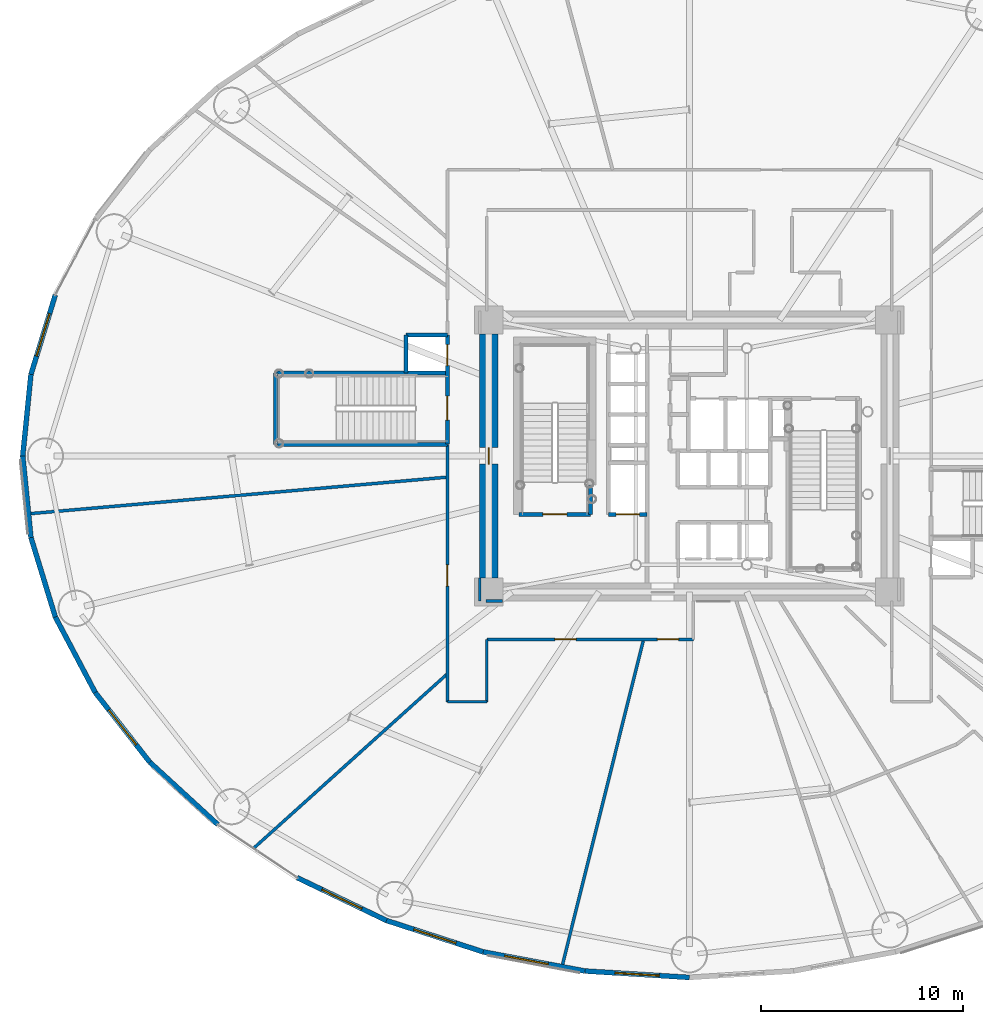
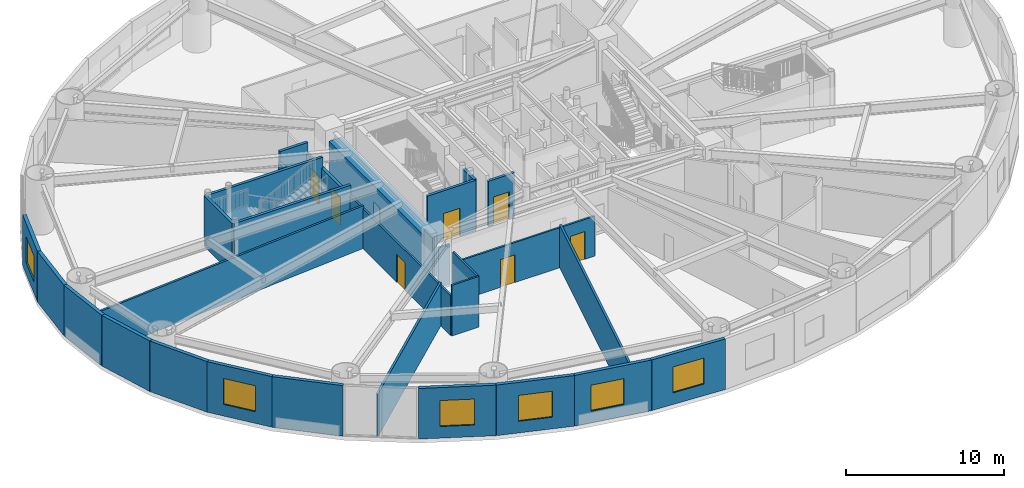
# One storey, part 16 of 31: 30 walls, 8 doors, 6 windows, 14 openings.
"""IFC4 building model written with IfcOpenShell, lengths in metres."""

from ifc_helpers import new_model, si_unit, direction, frame, frame_2d, origin, origin_2d, place, context, subcontext, project, spatial, rectangle, extrude, source, transform, mapped, material, layer, layer_set, type_object, element, fill, save


model = new_model("IFC4")

# Units and contexts
model_context = context("Model", 3, precision=1e-05, world=origin(), true_north=direction((0.0, 1.0)))
body_context = subcontext(model_context, "Body", "Model", "MODEL_VIEW")
ifc_project = project(units=[si_unit("LENGTHUNIT", "METRE"), si_unit("AREAUNIT", "SQUARE_METRE"), si_unit("VOLUMEUNIT", "CUBIC_METRE"), si_unit("PLANEANGLEUNIT", "RADIAN"), si_unit("MASSUNIT", "GRAM", prefix="KILO")], contexts=[model_context])

# Site, building, storey
site_placement = place(None, origin())
site = spatial("IfcSite", under=ifc_project, at=site_placement, CompositionType="ELEMENT")
building_placement = place(site_placement, origin())
building = spatial("IfcBuilding", under=site, at=building_placement, Name="Linh Dai School and Residence Tower", CompositionType="ELEMENT")
storey_placement = place(building_placement, frame((0.0, 0.0, 6.0)))
storey = spatial("IfcBuildingStorey", under=building, at=storey_placement, Name="L01", CompositionType="ELEMENT", Elevation=6.0)

# Wall, opening, window
ifc_material_1 = material(Name="Precast Concrete B45 (C35/45)", Category="concrete")
ifc_layer_1 = layer(ifc_material_1, 0.25)
ifc_layer_set_1 = layer_set([ifc_layer_1], Name="Precast Concrete B45 (C35/45)")
wall_type_1 = type_object("IfcWallType", Name="EW-TC-250", PredefinedType="SOLIDWALL", material=ifc_layer_set_1)
wall_1_placement = place(storey_placement, frame((3.331298828125, 31.04248046875, 0.0), z_axis=(0.0, 0.0, 1.0), x_axis=(0.293070945898, 0.956090696885, 0.0)))
wall_1 = element("IfcWall", 1, at=wall_1_placement, inside=storey, type_object=wall_type_1, Name="L01 Terracotta Exterior Wall 19", PredefinedType="SOLIDWALL", context=body_context, shape_type="SweptSolid", body=[
    extrude(rectangle(XDim=4.125244140625, YDim=0.25, at=frame_2d((2.0625, 0.0))), origin(), (0.0, 0.0, 1.0), 3.89990234375),
])
opening_1_placement = place(wall_1_placement, frame((0.962646484375, 0.0, 0.89990234375)))
opening_1 = element("IfcOpeningElement", 2, at=opening_1_placement, cuts=wall_1, Name="Opening W4", PredefinedType="OPENING", context=body_context, shape_type="SweptSolid", body=[
    extrude(rectangle(XDim=2.199951171875, YDim=2.0, at=origin_2d()), frame((1.10009765625, 0.135009765625, 1.0), z_axis=(0.0, -1.0, 0.0), x_axis=(1.0, 0.0, 0.0)), (0.0, 0.0, 1.0), 0.27001953125),
])
ifc_material_2 = material(Name="Acoustic Laminated Low-E Glazing", Category="glass")
window_type = type_object("IfcWindowType", Name="WN-SCH-2200x2000", PartitioningType="TRIPLE_PANEL_VERTICAL", PredefinedType="WINDOW", material=ifc_material_2)
shared_shape_1 = source(origin(), body_context, "Body", "SweptSolid", [
    extrude(rectangle(XDim=2.199951171875, YDim=2.0, at=origin_2d()), frame((1.10009765625, 0.030029296875, 1.0), z_axis=(0.0, -1.0, 0.0), x_axis=(1.0, 0.0, 0.0)), (0.0, 0.0, 1.0), 0.06005859375),
])
window_1_placement = place(opening_1_placement, origin())
window_1 = element("IfcWindow", 3, at=window_1_placement, inside=storey, type_object=window_type, Name="L01 Exterior Window 19.1", OverallHeight=2.0, OverallWidth=2.199951171875, PartitioningType="TRIPLE_PANEL_VERTICAL", PredefinedType="WINDOW", context=body_context, shape_type="MappedRepresentation", body=[
    mapped(shared_shape_1, transform((0.0, 0.0, 0.0), x_axis=(1.0, 0.0, 0.0), y_axis=(0.0, 1.0, 0.0), z_axis=(0.0, 0.0, 1.0), scale=1.0)),
])
fill(opening_1, window_1)

# Walls
for number, where, z_axis, x_axis, name in (
    (4, (2.925048828125, 27.0, 0.0), (0.0, 0.0, 1.0), (0.099991575324, 0.994988283782, 0.0), "L01 Terracotta Exterior Wall 20"),
    (5, (3.331298828125, 22.95751953125, 0.0), (0.0, 0.0, 1.0), (-0.099991575324, 0.994988283782, 0.0), "L01 Terracotta Exterior Wall 21"),
):
    element("IfcWall", number, at=place(storey_placement, frame(where, z_axis=z_axis, x_axis=x_axis)), inside=storey, type_object=wall_type_1, Name=name, PredefinedType="SOLIDWALL", context=body_context, shape_type="SweptSolid", body=[
        extrude(rectangle(XDim=4.062744140625, YDim=0.25, at=frame_2d((2.03125, 0.0))), origin(), (0.0, 0.0, 1.0), 3.89990234375),
    ])
wall_2_placement = place(storey_placement, frame((4.540283203125, 19.013427734375, 0.0), z_axis=(0.0, 0.0, 1.0), x_axis=(-0.293070945898, 0.956090696885, 0.0)))
element("IfcWall", 6, at=wall_2_placement, inside=storey, type_object=wall_type_1, Name="L01 Terracotta Exterior Wall 22", PredefinedType="SOLIDWALL", context=body_context, shape_type="SweptSolid", body=[
    extrude(rectangle(XDim=4.125244140625, YDim=0.25, at=frame_2d((2.0625, 0.0))), origin(), (0.0, 0.0, 1.0), 3.89990234375),
])
wall_3_placement = place(storey_placement, frame((6.5234375, 15.264404296875, 0.0), z_axis=(0.0, 0.0, 1.0), x_axis=(-0.467588829866, 0.883946087827, 0.0)))
element("IfcWall", 7, at=wall_3_placement, inside=storey, type_object=wall_type_1, Name="L01 Terracotta Exterior Wall 23", PredefinedType="SOLIDWALL", context=body_context, shape_type="SweptSolid", body=[
    extrude(rectangle(XDim=4.2412109375, YDim=0.25, at=frame_2d((2.12060546875, 0.0))), origin(), (0.0, 0.0, 1.0), 3.89990234375),
])

# Wall, opening, window
wall_4_placement = place(storey_placement, frame((9.232177734375, 11.802490234375, 0.0), z_axis=(0.0, 0.0, 1.0), x_axis=(-0.61622589112, 0.787569457961, 0.0)))
wall_4 = element("IfcWall", 8, at=wall_4_placement, inside=storey, type_object=wall_type_1, Name="L01 Terracotta Exterior Wall 24", PredefinedType="SOLIDWALL", context=body_context, shape_type="SweptSolid", body=[
    extrude(rectangle(XDim=4.395751953125, YDim=0.25, at=frame_2d((2.19775390625, 0.0))), origin(), (0.0, 0.0, 1.0), 3.89990234375),
])
opening_2_placement = place(wall_4_placement, frame((1.09765625, 0.0, 0.89990234375)))
opening_2 = element("IfcOpeningElement", 9, at=opening_2_placement, cuts=wall_4, Name="Opening W4", PredefinedType="OPENING", context=body_context, shape_type="SweptSolid", body=[
    extrude(rectangle(XDim=2.199951171875, YDim=2.0, at=origin_2d()), frame((1.10009765625, 0.135009765625, 1.0), z_axis=(0.0, -1.0, 0.0), x_axis=(1.0, 0.0, 0.0)), (0.0, 0.0, 1.0), 0.27001953125),
])
window_2_placement = place(opening_2_placement, origin())
window_2 = element("IfcWindow", 10, at=window_2_placement, inside=storey, type_object=window_type, Name="L01 Exterior Window 24.1", OverallHeight=2.0, OverallWidth=2.199951171875, PartitioningType="TRIPLE_PANEL_VERTICAL", PredefinedType="WINDOW", context=body_context, shape_type="MappedRepresentation", body=[
    mapped(shared_shape_1, transform((0.0, 0.0, 0.0), x_axis=(1.0, 0.0, 0.0), y_axis=(0.0, 1.0, 0.0), z_axis=(0.0, 0.0, 1.0), scale=1.0)),
])
fill(opening_2, window_2)

# Wall
wall_5_placement = place(storey_placement, frame((12.60107421875, 8.713623046875, 0.0), z_axis=(0.0, 0.0, 1.0), x_axis=(-0.737076532105, 0.675809282136, 0.0)))
element("IfcWall", 11, at=wall_5_placement, inside=storey, type_object=wall_type_1, Name="L01 Terracotta Exterior Wall 25", PredefinedType="SOLIDWALL", context=body_context, shape_type="SweptSolid", body=[
    extrude(rectangle(XDim=4.570556640625, YDim=0.25, at=frame_2d((2.28515625, 0.0))), origin(), (0.0, 0.0, 1.0), 3.89990234375),
])

# Wall, opening, window
wall_6_placement = place(storey_placement, frame((20.973876953125, 3.949951171875, 0.0), z_axis=(0.0, 0.0, 1.0), x_axis=(-0.901559523397, 0.432655088692, 0.0)))
wall_6 = element("IfcWall", 12, at=wall_6_placement, inside=storey, type_object=wall_type_1, Name="L01 Terracotta Exterior Wall 27", PredefinedType="SOLIDWALL", context=body_context, shape_type="SweptSolid", body=[
    extrude(rectangle(XDim=4.909912109375, YDim=0.25, at=frame_2d((2.455078125, 0.0))), origin(), (0.0, 0.0, 1.0), 3.89990234375),
])
opening_3_placement = place(wall_6_placement, frame((1.354736328125, 0.0, 0.89990234375)))
opening_3 = element("IfcOpeningElement", 13, at=opening_3_placement, cuts=wall_6, Name="Opening W4", PredefinedType="OPENING", context=body_context, shape_type="SweptSolid", body=[
    extrude(rectangle(XDim=2.199951171875, YDim=2.0, at=origin_2d()), frame((1.10009765625, 0.135009765625, 1.0), z_axis=(0.0, -1.0, 0.0), x_axis=(1.0, 0.0, 0.0)), (0.0, 0.0, 1.0), 0.27001953125),
])
window_3_placement = place(opening_3_placement, origin())
window_3 = element("IfcWindow", 14, at=window_3_placement, inside=storey, type_object=window_type, Name="L01 Exterior Window 27.1", OverallHeight=2.0, OverallWidth=2.199951171875, PartitioningType="TRIPLE_PANEL_VERTICAL", PredefinedType="WINDOW", context=body_context, shape_type="MappedRepresentation", body=[
    mapped(shared_shape_1, transform((0.0, 0.0, 0.0), x_axis=(1.0, 0.0, 0.0), y_axis=(0.0, 1.0, 0.0), z_axis=(0.0, 0.0, 1.0), scale=1.0)),
])
fill(opening_3, window_3)

wall_7_placement = place(storey_placement, frame((25.771484375, 2.3935546875, 0.0), z_axis=(0.0, 0.0, 1.0), x_axis=(-0.951198629726, 0.308579271513, 0.0)))
wall_7 = element("IfcWall", 15, at=wall_7_placement, inside=storey, type_object=wall_type_1, Name="L01 Terracotta Exterior Wall 28", PredefinedType="SOLIDWALL", context=body_context, shape_type="SweptSolid", body=[
    extrude(rectangle(XDim=5.043701171875, YDim=0.25, at=frame_2d((2.52197265625, 0.0))), origin(), (0.0, 0.0, 1.0), 3.89990234375),
])
opening_4_placement = place(wall_7_placement, frame((1.421630859375, 0.0, 0.89990234375)))
opening_4 = element("IfcOpeningElement", 16, at=opening_4_placement, cuts=wall_7, Name="Opening W4", PredefinedType="OPENING", context=body_context, shape_type="SweptSolid", body=[
    extrude(rectangle(XDim=2.199951171875, YDim=2.0, at=origin_2d()), frame((1.10009765625, 0.135009765625, 1.0), z_axis=(0.0, -1.0, 0.0), x_axis=(1.0, 0.0, 0.0)), (0.0, 0.0, 1.0), 0.27001953125),
])
window_4_placement = place(opening_4_placement, origin())
window_4 = element("IfcWindow", 17, at=window_4_placement, inside=storey, type_object=window_type, Name="L01 Exterior Window 28.1", OverallHeight=2.0, OverallWidth=2.199951171875, PartitioningType="TRIPLE_PANEL_VERTICAL", PredefinedType="WINDOW", context=body_context, shape_type="MappedRepresentation", body=[
    mapped(shared_shape_1, transform((0.0, 0.0, 0.0), x_axis=(1.0, 0.0, 0.0), y_axis=(0.0, 1.0, 0.0), z_axis=(0.0, 0.0, 1.0), scale=1.0)),
])
fill(opening_4, window_4)

wall_8_placement = place(storey_placement, frame((30.82177734375, 1.444091796875, 0.0), z_axis=(0.0, 0.0, 1.0), x_axis=(-0.98278278947, 0.184764684726, 0.0)))
wall_8 = element("IfcWall", 18, at=wall_8_placement, inside=storey, type_object=wall_type_1, Name="L01 Terracotta Exterior Wall 29", PredefinedType="SOLIDWALL", context=body_context, shape_type="SweptSolid", body=[
    extrude(rectangle(XDim=5.138671875, YDim=0.25, at=frame_2d((2.5693359375, 0.0))), origin(), (0.0, 0.0, 1.0), 3.89990234375),
])
opening_5_placement = place(wall_8_placement, frame((1.851806640625, 0.0, 0.89990234375)))
opening_5 = element("IfcOpeningElement", 19, at=opening_5_placement, cuts=wall_8, Name="Opening W4", PredefinedType="OPENING", context=body_context, shape_type="SweptSolid", body=[
    extrude(rectangle(XDim=2.199951171875, YDim=2.0, at=origin_2d()), frame((1.10009765625, 0.135009765625, 1.0), z_axis=(0.0, -1.0, 0.0), x_axis=(1.0, 0.0, 0.0)), (0.0, 0.0, 1.0), 0.27001953125),
])
window_5_placement = place(opening_5_placement, origin())
window_5 = element("IfcWindow", 20, at=window_5_placement, inside=storey, type_object=window_type, Name="L01 Exterior Window 29.1", OverallHeight=2.0, OverallWidth=2.199951171875, PartitioningType="TRIPLE_PANEL_VERTICAL", PredefinedType="WINDOW", context=body_context, shape_type="MappedRepresentation", body=[
    mapped(shared_shape_1, transform((0.0, 0.0, 0.0), x_axis=(1.0, 0.0, 0.0), y_axis=(0.0, 1.0, 0.0), z_axis=(0.0, 0.0, 1.0), scale=1.0)),
])
fill(opening_5, window_5)

wall_9_placement = place(storey_placement, frame((36.0, 1.125, 0.0), z_axis=(0.0, 0.0, 1.0), x_axis=(-0.998106762298, 0.061505211614, 0.0)))
wall_9 = element("IfcWall", 21, at=wall_9_placement, inside=storey, type_object=wall_type_1, Name="L01 Terracotta Exterior Wall 30", PredefinedType="SOLIDWALL", context=body_context, shape_type="SweptSolid", body=[
    extrude(rectangle(XDim=5.18798828125, YDim=0.25, at=frame_2d((2.593994140625, 0.0))), origin(), (0.0, 0.0, 1.0), 3.89990234375),
])
opening_6_placement = place(wall_9_placement, frame((1.493896484375, 0.0, 0.89990234375)))
opening_6 = element("IfcOpeningElement", 22, at=opening_6_placement, cuts=wall_9, Name="Opening W4", PredefinedType="OPENING", context=body_context, shape_type="SweptSolid", body=[
    extrude(rectangle(XDim=2.199951171875, YDim=2.0, at=origin_2d()), frame((1.10009765625, 0.135009765625, 1.0), z_axis=(0.0, -1.0, 0.0), x_axis=(1.0, 0.0, 0.0)), (0.0, 0.0, 1.0), 0.27001953125),
])
window_6_placement = place(opening_6_placement, origin())
window_6 = element("IfcWindow", 23, at=window_6_placement, inside=storey, type_object=window_type, Name="L01 Exterior Window 30.1", OverallHeight=2.0, OverallWidth=2.199951171875, PartitioningType="TRIPLE_PANEL_VERTICAL", PredefinedType="WINDOW", context=body_context, shape_type="MappedRepresentation", body=[
    mapped(shared_shape_1, transform((0.0, 0.0, 0.0), x_axis=(1.0, 0.0, 0.0), y_axis=(0.0, 1.0, 0.0), z_axis=(0.0, 0.0, 1.0), scale=1.0)),
])
fill(opening_6, window_6)

# Wall, opening, door
ifc_material_3 = material(Name="Autoclaved Aerated Concrete Blockwork", Category="masonry")
ifc_layer_2 = layer(ifc_material_3, 0.135009765625)
ifc_layer_set_2 = layer_set([ifc_layer_2], Name="Autoclaved Aerated Concrete Blockwork")
wall_type_2 = type_object("IfcWallType", Name="IW-CORR-135-EI90", PredefinedType="PARTITIONING", material=ifc_layer_set_2)
wall_10_placement = place(storey_placement, frame((24.0, 14.800048828125, 0.0), z_axis=(0.0, 0.0, 1.0), x_axis=(0.0, 1.0, 0.0)))
wall_10 = element("IfcWall", 24, at=wall_10_placement, inside=storey, type_object=wall_type_2, Name="L01 Interior Partition Wall 010", PredefinedType="PARTITIONING", context=body_context, shape_type="SweptSolid", body=[
    extrude(rectangle(XDim=12.780029296875, YDim=0.135009765625, at=frame_2d((6.39013671875, 0.0))), origin(), (0.0, 0.0, 1.0), 3.0849609375),
])
opening_7_placement = place(wall_10_placement, frame((5.74755859375, 0.0, 0.0)))
opening_7 = element("IfcOpeningElement", 25, at=opening_7_placement, cuts=wall_10, Name="Opening D04", PredefinedType="OPENING", context=body_context, shape_type="SweptSolid", body=[
    extrude(rectangle(XDim=1.050048828125, YDim=2.14990234375, at=origin_2d()), frame((0.52490234375, 0.07763671875, 1.074951171875), z_axis=(0.0, -1.0, 0.0), x_axis=(1.0, 0.0, 0.0)), (0.0, 0.0, 1.0), 0.155029296875),
])
ifc_material_4 = material(Name="Acoustic Vision-Panel Timber Classroom Door", Category="wood")
door_type_1 = type_object("IfcDoorType", Name="DR-SCH-1050x2150-FD60S", OperationType="NOTDEFINED", PredefinedType="DOOR", material=ifc_material_4)
shared_shape_2 = source(origin(), body_context, "Body", "SweptSolid", [
    extrude(rectangle(XDim=1.050048828125, YDim=2.14990234375, at=origin_2d()), frame((0.52490234375, 0.02490234375, 1.074951171875), z_axis=(0.0, -1.0, 0.0), x_axis=(1.0, 0.0, 0.0)), (0.0, 0.0, 1.0), 0.050048828125),
])
door_1_placement = place(opening_7_placement, origin())
door_1 = element("IfcDoor", 26, at=door_1_placement, inside=storey, type_object=door_type_1, Name="L01 Junior Classroom 2 Door", OperationType="SINGLE_SWING_LEFT", OverallHeight=2.14990234375, OverallWidth=1.050048828125, PredefinedType="DOOR", context=body_context, shape_type="MappedRepresentation", body=[
    mapped(shared_shape_2, transform((0.0, 0.0, 0.0), x_axis=(1.0, 0.0, 0.0), y_axis=(0.0, 1.0, 0.0), z_axis=(0.0, 0.0, 1.0), scale=1.0)),
])
fill(opening_7, door_1)

# Walls
wall_11_placement = place(storey_placement, frame((24.0, 14.800048828125, 0.0), z_axis=(0.0, 0.0, 1.0), x_axis=(1.0, 0.0, 0.0)))
element("IfcWall", 27, at=wall_11_placement, inside=storey, type_object=wall_type_2, Name="L01 Interior Partition Wall 011", PredefinedType="PARTITIONING", context=body_context, shape_type="SweptSolid", body=[
    extrude(rectangle(XDim=1.949951171875, YDim=0.135009765625, at=frame_2d((0.97509765625, 0.0))), origin(), (0.0, 0.0, 1.0), 3.89990234375),
])
wall_12_placement = place(storey_placement, frame((25.949951171875, 14.800048828125, 0.0), z_axis=(0.0, 0.0, 1.0), x_axis=(0.0, 1.0, 0.0)))
element("IfcWall", 28, at=wall_12_placement, inside=storey, type_object=wall_type_2, Name="L01 Interior Partition Wall 015", PredefinedType="PARTITIONING", context=body_context, shape_type="SweptSolid", body=[
    extrude(rectangle(XDim=3.099853515625, YDim=0.135009765625, at=frame_2d((1.5498046875, 0.0))), origin(), (0.0, 0.0, 1.0), 3.89990234375),
])

# Wall, openings, doors
wall_13_placement = place(storey_placement, frame((25.949951171875, 17.89990234375, 0.0), z_axis=(0.0, 0.0, 1.0), x_axis=(1.0, 0.0, 0.0)))
wall_13 = element("IfcWall", 29, at=wall_13_placement, inside=storey, type_object=wall_type_2, Name="L01 Interior Partition Wall 016", PredefinedType="PARTITIONING", context=body_context, shape_type="SweptSolid", body=[
    extrude(rectangle(XDim=10.25, YDim=0.135009765625, at=frame_2d((5.125, 0.0))), origin(), (0.0, 0.0, 1.0), 3.0849609375),
])
opening_8_placement = place(wall_13_placement, frame((3.385498046875, 0.0, 0.0)))
opening_8 = element("IfcOpeningElement", 30, at=opening_8_placement, cuts=wall_13, Name="Opening D04", PredefinedType="OPENING", context=body_context, shape_type="SweptSolid", body=[
    extrude(rectangle(XDim=1.050048828125, YDim=2.14990234375, at=origin_2d()), frame((0.52490234375, 0.07763671875, 1.074951171875), z_axis=(0.0, -1.0, 0.0), x_axis=(1.0, 0.0, 0.0)), (0.0, 0.0, 1.0), 0.155029296875),
])
opening_9_placement = place(wall_13_placement, frame((8.470703125, 0.0, 0.0)))
opening_9 = element("IfcOpeningElement", 31, at=opening_9_placement, cuts=wall_13, Name="Opening D04", PredefinedType="OPENING", context=body_context, shape_type="SweptSolid", body=[
    extrude(rectangle(XDim=1.050048828125, YDim=2.14990234375, at=origin_2d()), frame((0.52490234375, 0.07763671875, 1.074951171875), z_axis=(0.0, -1.0, 0.0), x_axis=(1.0, 0.0, 0.0)), (0.0, 0.0, 1.0), 0.155029296875),
])
door_2_placement = place(opening_8_placement, origin())
door_2 = element("IfcDoor", 32, at=door_2_placement, inside=storey, type_object=door_type_1, Name="L01 Junior Classroom 3 Door", OperationType="SINGLE_SWING_RIGHT", OverallHeight=2.14990234375, OverallWidth=1.050048828125, PredefinedType="DOOR", context=body_context, shape_type="MappedRepresentation", body=[
    mapped(shared_shape_2, transform((0.0, 0.0, 0.0), x_axis=(1.0, 0.0, 0.0), y_axis=(0.0, 1.0, 0.0), z_axis=(0.0, 0.0, 1.0), scale=1.0)),
])
fill(opening_8, door_2)
door_3_placement = place(opening_9_placement, origin())
door_3 = element("IfcDoor", 33, at=door_3_placement, inside=storey, type_object=door_type_1, Name="L01 Junior Classroom 4 Door", OperationType="SINGLE_SWING_LEFT", OverallHeight=2.14990234375, OverallWidth=1.050048828125, PredefinedType="DOOR", context=body_context, shape_type="MappedRepresentation", body=[
    mapped(shared_shape_2, transform((0.0, 0.0, 0.0), x_axis=(1.0, 0.0, 0.0), y_axis=(0.0, 1.0, 0.0), z_axis=(0.0, 0.0, 1.0), scale=1.0)),
])
fill(opening_9, door_3)

# Walls
wall_14_placement = place(storey_placement, frame((25.60009765625, 20.93994140625, 0.0), z_axis=(0.0, 0.0, 1.0), x_axis=(0.0, -1.0, 0.0)))
element("IfcWall", 34, at=wall_14_placement, inside=storey, type_object=wall_type_2, Name="L01 Interior Partition Wall 099", PredefinedType="PARTITIONING", context=body_context, shape_type="SweptSolid", body=[
    extrude(rectangle(XDim=1.139892578125, YDim=0.135009765625, at=frame_2d((0.56982421875, 0.0))), origin(), (0.0, 0.0, 1.0), 3.89990234375),
])
wall_15_placement = place(storey_placement, frame((25.907470703125, 19.800048828125, 0.0), z_axis=(0.0, 0.0, 1.0), x_axis=(1.0, 0.0, 0.0)))
element("IfcWall", 35, at=wall_15_placement, inside=storey, type_object=wall_type_2, Name="L01 Interior Partition Wall 100", PredefinedType="PARTITIONING", context=body_context, shape_type="SweptSolid", body=[
    extrude(rectangle(XDim=0.83251953125, YDim=0.135009765625, at=frame_2d((0.416259765625, 0.0))), origin(), (0.0, 0.0, 1.0), 3.0849609375),
])
ifc_layer_3 = layer(ifc_material_3, 0.14990234375)
ifc_layer_set_3 = layer_set([ifc_layer_3], Name="Autoclaved Aerated Concrete Blockwork")
wall_type_3 = type_object("IfcWallType", Name="IW-SCH-150-EI60", PredefinedType="PARTITIONING", material=ifc_layer_set_3)
wall_16_placement = place(storey_placement, frame((3.208251953125, 24.131103515625, 0.0), z_axis=(0.0, 0.0, 1.0), x_axis=(0.99619449197, 0.087158098701, 0.0)))
element("IfcWall", 36, at=wall_16_placement, inside=storey, type_object=wall_type_3, Name="L01 Interior Partition Wall 001", PredefinedType="PARTITIONING", context=body_context, shape_type="SweptSolid", body=[
    extrude(rectangle(XDim=20.87109375, YDim=0.14990234375, at=frame_2d((10.435546875, 0.0))), origin(), (0.0, 0.0, 1.0), 3.284912109375),
])
wall_17_placement = place(storey_placement, frame((14.3701171875, 7.5244140625, 0.0), z_axis=(0.0, 0.0, 1.0), x_axis=(0.743149857609, 0.669125017569, 0.0)))
element("IfcWall", 37, at=wall_17_placement, inside=storey, type_object=wall_type_3, Name="L01 Interior Partition Wall 003", PredefinedType="PARTITIONING", context=body_context, shape_type="SweptSolid", body=[
    extrude(rectangle(XDim=12.958251953125, YDim=0.14990234375, at=frame_2d((6.47900390625, 0.0))), origin(), (0.0, 0.0, 1.0), 3.284912109375),
])
wall_18_placement = place(storey_placement, frame((29.680419921875, 1.653564453125, 0.0), z_axis=(0.0, 0.0, 1.0), x_axis=(0.241928320832, 0.970294124263, 0.0)))
element("IfcWall", 38, at=wall_18_placement, inside=storey, type_object=wall_type_3, Name="L01 Interior Partition Wall 019", PredefinedType="PARTITIONING", context=body_context, shape_type="SweptSolid", body=[
    extrude(rectangle(XDim=16.74365234375, YDim=0.14990234375, at=frame_2d((8.371826171875, 0.0))), origin(), (0.0, 0.0, 1.0), 3.284912109375),
])
ifc_material_5 = material(Name="Concrete B45 (C35/45)", Category="concrete")
ifc_layer_4 = layer(ifc_material_5, 0.199951171875)
ifc_layer_set_4 = layer_set([ifc_layer_4], Name="Concrete B45 (C35/45)")
wall_type_4 = type_object("IfcWallType", Name="IW-SHAFT-200-EI120", PredefinedType="PARTITIONING", material=ifc_layer_set_4)
wall_19_placement = place(storey_placement, frame((15.47998046875, 27.580078125, 0.0), z_axis=(0.0, 0.0, 1.0), x_axis=(0.0, 1.0, 0.0)))
element("IfcWall", 39, at=wall_19_placement, inside=storey, type_object=wall_type_4, Name="L01 Interior Partition Wall 005", PredefinedType="PARTITIONING", context=body_context, shape_type="SweptSolid", body=[
    extrude(rectangle(XDim=3.5400390625, YDim=0.199951171875, at=frame_2d((1.77001953125, 0.0))), origin(), (0.0, 0.0, 1.0), 3.89990234375),
])
for number, where, z_axis, x_axis, name in (
    (40, (15.47998046875, 27.580078125, 0.0), (0.0, 0.0, 1.0), (1.0, 0.0, 0.0), "L01 Interior Partition Wall 006"),
    (41, (15.47998046875, 31.1201171875, 0.0), (0.0, 0.0, 1.0), (1.0, 0.0, 0.0), "L01 Interior Partition Wall 007"),
):
    element("IfcWall", number, at=place(storey_placement, frame(where, z_axis=z_axis, x_axis=x_axis)), inside=storey, type_object=wall_type_4, Name=name, PredefinedType="PARTITIONING", context=body_context, shape_type="SweptSolid", body=[
        extrude(rectangle(XDim=8.52001953125, YDim=0.199951171875, at=frame_2d((4.260009765625, 0.0))), origin(), (0.0, 0.0, 1.0), 3.89990234375),
    ])
wall_20_placement = place(storey_placement, frame((21.949951171875, 31.1201171875, 0.0), z_axis=(0.0, 0.0, 1.0), x_axis=(0.0, 1.0, 0.0)))
element("IfcWall", 42, at=wall_20_placement, inside=storey, type_object=wall_type_4, Name="L01 Interior Partition Wall 008", PredefinedType="PARTITIONING", context=body_context, shape_type="SweptSolid", body=[
    extrude(rectangle(XDim=1.8798828125, YDim=0.199951171875, at=frame_2d((0.93994140625, 0.0))), origin(), (0.0, 0.0, 1.0), 3.0849609375),
])
wall_21_placement = place(storey_placement, frame((21.949951171875, 33.0, 0.0), z_axis=(0.0, 0.0, 1.0), x_axis=(1.0, 0.0, 0.0)))
element("IfcWall", 43, at=wall_21_placement, inside=storey, type_object=wall_type_4, Name="L01 Interior Partition Wall 009", PredefinedType="PARTITIONING", context=body_context, shape_type="SweptSolid", body=[
    extrude(rectangle(XDim=2.050048828125, YDim=0.199951171875, at=frame_2d((1.02490234375, 0.0))), origin(), (0.0, 0.0, 1.0), 3.89990234375),
])

# Wall, openings, doors
wall_22_placement = place(storey_placement, frame((24.0, 27.590087890625, 0.0), z_axis=(0.0, 0.0, 1.0), x_axis=(0.0, 1.0, 0.0)))
wall_22 = element("IfcWall", 44, at=wall_22_placement, inside=storey, type_object=wall_type_4, Name="L01 Interior Partition Wall 012", PredefinedType="PARTITIONING", context=body_context, shape_type="SweptSolid", body=[
    extrude(rectangle(XDim=5.409912109375, YDim=0.199951171875, at=frame_2d((2.705078125, 0.0))), origin(), (0.0, 0.0, 1.0), 3.0849609375),
])
opening_10_placement = place(wall_22_placement, frame((1.18505859375, 0.0, 0.0)))
opening_10 = element("IfcOpeningElement", 45, at=opening_10_placement, cuts=wall_22, Name="Opening D01", PredefinedType="OPENING", context=body_context, shape_type="SweptSolid", body=[
    extrude(rectangle(XDim=1.199951171875, YDim=2.14990234375, at=origin_2d()), frame((0.60009765625, 0.10986328125, 1.074951171875), z_axis=(0.0, -1.0, 0.0), x_axis=(1.0, 0.0, 0.0)), (0.0, 0.0, 1.0), 0.219970703125),
])
opening_11_placement = place(wall_22_placement, frame((3.889892578125, 0.0, 0.0)))
opening_11 = element("IfcOpeningElement", 46, at=opening_11_placement, cuts=wall_22, Name="Opening LD-SL1", PredefinedType="OPENING", context=body_context, shape_type="SweptSolid", body=[
    extrude(rectangle(XDim=1.050048828125, YDim=2.14990234375, at=origin_2d()), frame((0.52490234375, 0.10986328125, 1.074951171875), z_axis=(0.0, -1.0, 0.0), x_axis=(1.0, 0.0, 0.0)), (0.0, 0.0, 1.0), 0.219970703125),
])
ifc_material_6 = material(Name="Fire-Rated Steel Door Leaf", Category="steel")
door_type_2 = type_object("IfcDoorType", Name="DR-STAIR-1200x2150-FD90S", OperationType="NOTDEFINED", PredefinedType="DOOR", material=ifc_material_6)
shared_shape_3 = source(origin(), body_context, "Body", "SweptSolid", [
    extrude(rectangle(XDim=1.199951171875, YDim=2.14990234375, at=origin_2d()), frame((0.60009765625, 0.02490234375, 1.074951171875), z_axis=(0.0, -1.0, 0.0), x_axis=(1.0, 0.0, 0.0)), (0.0, 0.0, 1.0), 0.050048828125),
])
door_4_placement = place(opening_10_placement, origin())
door_4 = element("IfcDoor", 47, at=door_4_placement, inside=storey, type_object=door_type_2, Name="L01 Exit Stair STS1 Door", OperationType="SINGLE_SWING_RIGHT", OverallHeight=2.14990234375, OverallWidth=1.199951171875, PredefinedType="DOOR", context=body_context, shape_type="MappedRepresentation", body=[
    mapped(shared_shape_3, transform((0.0, 0.0, 0.0), x_axis=(1.0, 0.0, 0.0), y_axis=(0.0, 1.0, 0.0), z_axis=(0.0, 0.0, 1.0), scale=1.0)),
])
fill(opening_10, door_4)
ifc_material_7 = material(Name="Brushed Stainless Steel Lift Landing Door", Category="steel")
door_type_3 = type_object("IfcDoorType", Name="DR-LD-PASS-1050x2150", OperationType="DOUBLE_DOOR_SLIDING", PredefinedType="USERDEFINED", material=ifc_material_7)
shared_shape_4 = source(origin(), body_context, "Body", "SweptSolid", [
    extrude(rectangle(XDim=1.050048828125, YDim=2.14990234375, at=origin_2d()), frame((0.52490234375, 0.02490234375, 1.074951171875), z_axis=(0.0, -1.0, 0.0), x_axis=(1.0, 0.0, 0.0)), (0.0, 0.0, 1.0), 0.050048828125),
])
door_5_placement = place(opening_11_placement, origin())
door_5 = element("IfcDoor", 48, at=door_5_placement, inside=storey, type_object=door_type_3, Name="L01 Lift SL1 Sliding Landing Door", ObjectType="LANDING DOOR", OperationType="DOUBLE_DOOR_SLIDING", OverallHeight=2.14990234375, OverallWidth=1.050048828125, PredefinedType="USERDEFINED", context=body_context, shape_type="MappedRepresentation", body=[
    mapped(shared_shape_4, transform((0.0, 0.0, 0.0), x_axis=(1.0, 0.0, 0.0), y_axis=(0.0, 1.0, 0.0), z_axis=(0.0, 0.0, 1.0), scale=1.0)),
])
fill(opening_11, door_5)

# Wall, opening, door
wall_23_placement = place(storey_placement, frame((27.56005859375, 24.10009765625, 0.0), z_axis=(0.0, 0.0, 1.0), x_axis=(1.0, 0.0, 0.0)))
wall_23 = element("IfcWall", 49, at=wall_23_placement, inside=storey, type_object=wall_type_4, Name="L01 Interior Partition Wall 017", PredefinedType="PARTITIONING", context=body_context, shape_type="SweptSolid", body=[
    extrude(rectangle(XDim=3.5400390625, YDim=0.199951171875, at=frame_2d((1.77001953125, 0.0))), origin(), (0.0, 0.0, 1.0), 3.89990234375),
])
opening_12_placement = place(wall_23_placement, frame((1.169921875, 0.0, 0.0)))
opening_12 = element("IfcOpeningElement", 50, at=opening_12_placement, cuts=wall_23, Name="Opening D01", PredefinedType="OPENING", context=body_context, shape_type="SweptSolid", body=[
    extrude(rectangle(XDim=1.199951171875, YDim=2.14990234375, at=origin_2d()), frame((0.60009765625, 0.10986328125, 1.074951171875), z_axis=(0.0, -1.0, 0.0), x_axis=(1.0, 0.0, 0.0)), (0.0, 0.0, 1.0), 0.219970703125),
])
door_6_placement = place(opening_12_placement, origin())
door_6 = element("IfcDoor", 51, at=door_6_placement, inside=storey, type_object=door_type_2, Name="L01 Core Smokeproof Exit Stair ST1 Door", OperationType="SINGLE_SWING_RIGHT", OverallHeight=2.14990234375, OverallWidth=1.199951171875, PredefinedType="DOOR", context=body_context, shape_type="MappedRepresentation", body=[
    mapped(shared_shape_3, transform((0.0, 0.0, 0.0), x_axis=(1.0, 0.0, 0.0), y_axis=(0.0, 1.0, 0.0), z_axis=(0.0, 0.0, 1.0), scale=1.0)),
])
fill(opening_12, door_6)

# Wall
wall_24_placement = place(storey_placement, frame((31.10009765625, 24.10009765625, 0.0), z_axis=(0.0, 0.0, 1.0), x_axis=(0.0, 1.0, 0.0)))
element("IfcWall", 52, at=wall_24_placement, inside=storey, type_object=wall_type_4, Name="L01 Interior Partition Wall 020", PredefinedType="PARTITIONING", context=body_context, shape_type="SweptSolid", body=[
    extrude(rectangle(XDim=1.43994140625, YDim=0.199951171875, at=frame_2d((0.719970703125, 0.0))), origin(), (0.0, 0.0, 1.0), 3.89990234375),
])

# Wall, opening, door
wall_25_placement = place(storey_placement, frame((32.0, 24.10009765625, 0.0), z_axis=(0.0, 0.0, 1.0), x_axis=(1.0, 0.0, 0.0)))
wall_25 = element("IfcWall", 53, at=wall_25_placement, inside=storey, type_object=wall_type_4, Name="L01 Interior Partition Wall 022", PredefinedType="PARTITIONING", context=body_context, shape_type="SweptSolid", body=[
    extrude(rectangle(XDim=1.89990234375, YDim=0.199951171875, at=frame_2d((0.949951171875, 0.0))), origin(), (0.0, 0.0, 1.0), 3.485107421875),
])
opening_13_placement = place(wall_25_placement, frame((0.375, 0.0, 0.0)))
opening_13 = element("IfcOpeningElement", 54, at=opening_13_placement, cuts=wall_25, Name="Opening LD-FF2", PredefinedType="OPENING", context=body_context, shape_type="SweptSolid", body=[
    extrude(rectangle(XDim=1.14990234375, YDim=2.14990234375, at=origin_2d()), frame((0.574951171875, 0.10986328125, 1.074951171875), z_axis=(0.0, -1.0, 0.0), x_axis=(1.0, 0.0, 0.0)), (0.0, 0.0, 1.0), 0.219970703125),
])
ifc_material_8 = material(Name="Fire-Rated Stainless Steel Firefighting Lift Door", Category="steel")
door_type_4 = type_object("IfcDoorType", Name="DR-LD-FF-1150x2150-FD120", OperationType="DOUBLE_DOOR_SLIDING", PredefinedType="USERDEFINED", material=ifc_material_8)
shared_shape_5 = source(origin(), body_context, "Body", "SweptSolid", [
    extrude(rectangle(XDim=1.14990234375, YDim=2.14990234375, at=origin_2d()), frame((0.574951171875, 0.02490234375, 1.074951171875), z_axis=(0.0, -1.0, 0.0), x_axis=(1.0, 0.0, 0.0)), (0.0, 0.0, 1.0), 0.050048828125),
])
door_7_placement = place(opening_13_placement, origin())
door_7 = element("IfcDoor", 55, at=door_7_placement, inside=storey, type_object=door_type_4, Name="L01 Lift FF2 Sliding Landing Door", ObjectType="LANDING DOOR", OperationType="DOUBLE_DOOR_SLIDING", OverallHeight=2.14990234375, OverallWidth=1.14990234375, PredefinedType="USERDEFINED", context=body_context, shape_type="MappedRepresentation", body=[
    mapped(shared_shape_5, transform((0.0, 0.0, 0.0), x_axis=(1.0, 0.0, 0.0), y_axis=(0.0, 1.0, 0.0), z_axis=(0.0, 0.0, 1.0), scale=1.0)),
])
fill(opening_13, door_7)

ifc_material_9 = material(Name="Concrete B60 (C50/60)", Category="concrete")
ifc_layer_5 = layer(ifc_material_9, 0.89990234375)
ifc_layer_set_5 = layer_set([ifc_layer_5], Name="Concrete B60 (C50/60)")
wall_type_5 = type_object("IfcWallType", Name="WL-CORE900", PredefinedType="SHEAR", material=ifc_layer_set_5)
wall_26_placement = place(storey_placement, frame((26.050048828125, 20.949951171875, 0.0), z_axis=(0.0, 0.0, 1.0), x_axis=(0.0, 1.0, 0.0)))
wall_26 = element("IfcWall", 56, at=wall_26_placement, inside=storey, type_object=wall_type_5, Name="L01 Central Core Shear Wall W", PredefinedType="SHEAR", context=body_context, shape_type="SweptSolid", body=[
    extrude(rectangle(XDim=12.10009765625, YDim=0.89990234375, at=frame_2d((6.050048828125, 0.0))), origin(), (0.0, 0.0, 1.0), 3.35009765625),
])
opening_14_placement = place(wall_26_placement, frame((5.639892578125, 0.0, 0.0)))
opening_14 = element("IfcOpeningElement", 57, at=opening_14_placement, cuts=wall_26, Name="Opening D06", PredefinedType="OPENING", context=body_context, shape_type="SweptSolid", body=[
    extrude(rectangle(XDim=0.820068359375, YDim=2.10009765625, at=origin_2d()), frame((0.41015625, 0.4599609375, 1.050048828125), z_axis=(0.0, -1.0, 0.0), x_axis=(1.0, 0.0, 0.0)), (0.0, 0.0, 1.0), 0.919921875),
])
ifc_material_10 = material(Name="Moisture-Resistant Timber Bathroom Door", Category="wood")
door_type_5 = type_object("IfcDoorType", Name="DR-WET-820x2100", OperationType="NOTDEFINED", PredefinedType="DOOR", material=ifc_material_10)
shared_shape_6 = source(origin(), body_context, "Body", "SweptSolid", [
    extrude(rectangle(XDim=0.820068359375, YDim=2.10009765625, at=origin_2d()), frame((0.41015625, 0.02490234375, 1.050048828125), z_axis=(0.0, -1.0, 0.0), x_axis=(1.0, 0.0, 0.0)), (0.0, 0.0, 1.0), 0.050048828125),
])
door_8_placement = place(opening_14_placement, origin())
door_8 = element("IfcDoor", 58, at=door_8_placement, inside=storey, type_object=door_type_5, Name="L01 Firefighting Lobby Door", OperationType="SINGLE_SWING_LEFT", OverallHeight=2.10009765625, OverallWidth=0.820068359375, PredefinedType="DOOR", context=body_context, shape_type="MappedRepresentation", body=[
    mapped(shared_shape_6, transform((0.0, 0.0, 0.0), x_axis=(1.0, 0.0, 0.0), y_axis=(0.0, 1.0, 0.0), z_axis=(0.0, 0.0, 1.0), scale=1.0)),
])
fill(opening_14, door_8)

save(model, "model.ifc")
